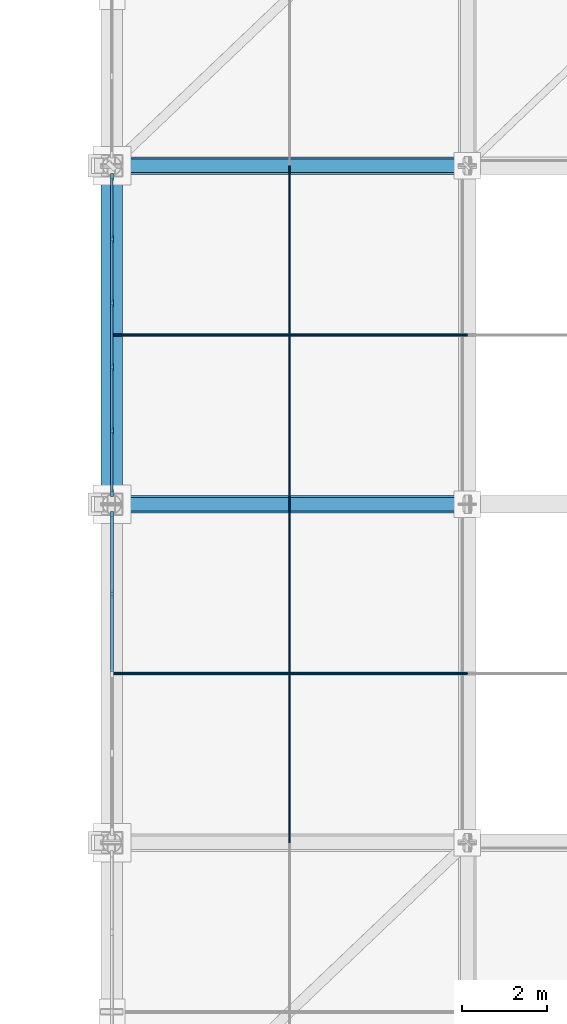
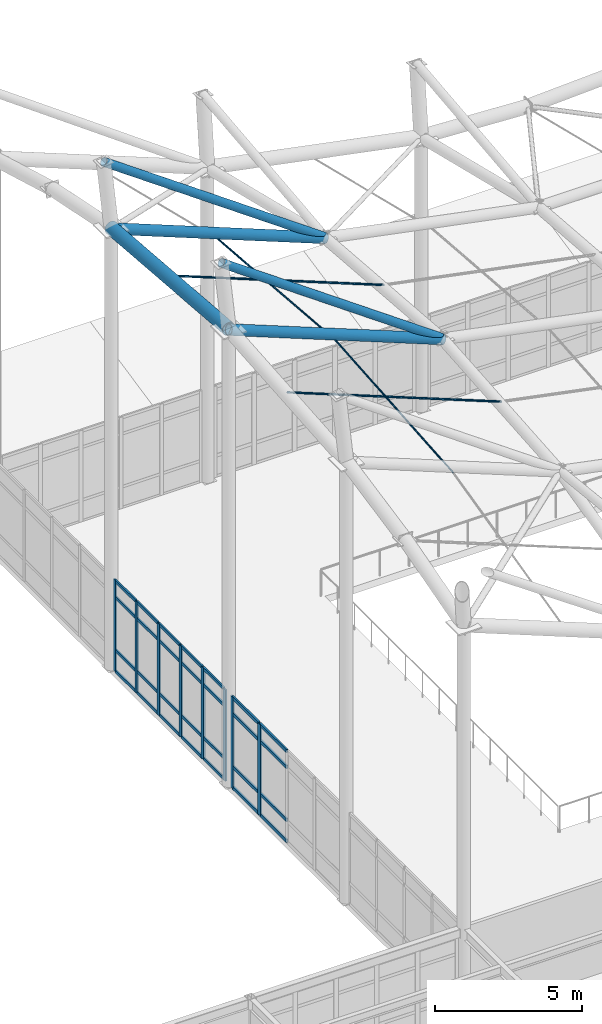
# One storey, part 39 of 138: 42 members, 3 beams, 2 elements without a shape of their own.
"""IFC4 building model written with IfcOpenShell, lengths in metres."""

from ifc_helpers import new_model, si_unit, direction, frame, origin, origin_2d, place, context, subcontext, project, spatial, rectangle, circle, hollow_circle, extrude, material, layer, layer_set, material_profile, profile_set, type_object, element, aggregate, save


model = new_model("IFC4")

# Units and contexts
model_context = context("Model", 3, precision=1e-05, world=origin(), true_north=direction((0.0, 1.0)))
body_context = subcontext(model_context, "Body", "Model", "MODEL_VIEW")
ifc_project = project(units=[si_unit("LENGTHUNIT", "METRE"), si_unit("AREAUNIT", "SQUARE_METRE"), si_unit("VOLUMEUNIT", "CUBIC_METRE"), si_unit("PLANEANGLEUNIT", "RADIAN"), si_unit("MASSUNIT", "GRAM", prefix="KILO")], contexts=[model_context])

# Site, building, storey
site_placement = place(None, origin())
site = spatial("IfcSite", under=ifc_project, at=site_placement, CompositionType="ELEMENT")
building_placement = place(site_placement, origin())
building = spatial("IfcBuilding", under=site, at=building_placement, Name="Kranzveld Transit Interchange", CompositionType="ELEMENT")
storey_placement = place(building_placement, frame((0.0, 0.0, 5.43994140625)))
storey = spatial("IfcBuildingStorey", under=building, at=storey_placement, Name="L01", CompositionType="ELEMENT", Elevation=5.43994140625)

# Curtain wall, members
ifc_material_1 = material(Name="Bronze-anodised thermally broken aluminium", Category="aluminium")
ifc_layer_1 = layer(ifc_material_1, 0.1650390625)
ifc_layer_set_1 = layer_set([ifc_layer_1], Name="Bronze-anodised thermally broken aluminium")
curtain_wall_type_1 = type_object("IfcCurtainWallType", Name="Sunny Court Arcade Curtain Wall CW-2", PredefinedType="USERDEFINED", material=ifc_layer_set_1)
curtain_wall_1_placement = place(storey_placement, origin())
curtain_wall_1 = element("IfcCurtainWall", 1, at=curtain_wall_1_placement, inside=storey, type_object=curtain_wall_type_1, Name="L01 Curtain Wall 08/K-08/L", ObjectType="CURTAIN WALL", PredefinedType="USERDEFINED")
ifc_material_2 = material(Name="Bronze-anodised thermally broken aluminium", Category="aluminium")
ifc_material_profile_1 = material_profile(ifc_material_2, rectangle(XDim=0.06494140625, YDim=0.1650390625, at=origin_2d()), Name="ALU MULLION 65x165")
ifc_profile_set_1 = profile_set([ifc_material_profile_1], Name="Bronze-anodised thermally broken aluminium")
member_type_1 = type_object("IfcMemberType", Name="Curtain Wall Mullion 65x165 Alu", PredefinedType="MULLION", material=ifc_profile_set_1)
member_1_placement = place(storey_placement, frame((58.800048828125, 72.260986328125, 0.0), z_axis=(0.0, 0.0, 1.0), x_axis=(-1.0, 0.0, 0.0)))
member_1 = element("IfcMember", 2, at=member_1_placement, type_object=member_type_1, Name="CW-2 mullion 1", PredefinedType="MULLION", context=body_context, shape_type="SweptSolid", body=[
    extrude(rectangle(XDim=0.06494140625, YDim=0.1650390625, at=origin_2d()), origin(), (0.0, 0.0, 1.0), 3.800048828125),
])
member_2_placement = place(storey_placement, frame((58.800048828125, 73.737060546875, 0.0), z_axis=(0.0, 0.0, 1.0), x_axis=(-1.0, 0.0, 0.0)))
member_2 = element("IfcMember", 3, at=member_2_placement, type_object=member_type_1, Name="CW-2 mullion 2", PredefinedType="MULLION", context=body_context, shape_type="SweptSolid", body=[
    extrude(rectangle(XDim=0.06494140625, YDim=0.1650390625, at=origin_2d()), origin(), (0.0, 0.0, 1.0), 3.800048828125),
])
member_3_placement = place(storey_placement, frame((58.800048828125, 75.24560546875, 0.0), z_axis=(0.0, 0.0, 1.0), x_axis=(-1.0, 0.0, 0.0)))
member_3 = element("IfcMember", 4, at=member_3_placement, type_object=member_type_1, Name="CW-2 mullion 3", PredefinedType="MULLION", context=body_context, shape_type="SweptSolid", body=[
    extrude(rectangle(XDim=0.06494140625, YDim=0.1650390625, at=origin_2d()), origin(), (0.0, 0.0, 1.0), 3.800048828125),
])
member_4_placement = place(storey_placement, frame((58.800048828125, 76.75439453125, 0.0), z_axis=(0.0, 0.0, 1.0), x_axis=(-1.0, 0.0, 0.0)))
member_4 = element("IfcMember", 5, at=member_4_placement, type_object=member_type_1, Name="CW-2 mullion 4", PredefinedType="MULLION", context=body_context, shape_type="SweptSolid", body=[
    extrude(rectangle(XDim=0.06494140625, YDim=0.1650390625, at=origin_2d()), origin(), (0.0, 0.0, 1.0), 3.800048828125),
])
member_5_placement = place(storey_placement, frame((58.800048828125, 78.262939453125, 0.0), z_axis=(0.0, 0.0, 1.0), x_axis=(-1.0, 0.0, 0.0)))
member_5 = element("IfcMember", 6, at=member_5_placement, type_object=member_type_1, Name="CW-2 mullion 5", PredefinedType="MULLION", context=body_context, shape_type="SweptSolid", body=[
    extrude(rectangle(XDim=0.06494140625, YDim=0.1650390625, at=origin_2d()), origin(), (0.0, 0.0, 1.0), 3.800048828125),
])
member_6_placement = place(storey_placement, frame((58.800048828125, 79.739013671875, 0.0), z_axis=(0.0, 0.0, 1.0), x_axis=(-1.0, 0.0, 0.0)))
member_6 = element("IfcMember", 7, at=member_6_placement, type_object=member_type_1, Name="CW-2 mullion 6", PredefinedType="MULLION", context=body_context, shape_type="SweptSolid", body=[
    extrude(rectangle(XDim=0.06494140625, YDim=0.1650390625, at=origin_2d()), origin(), (0.0, 0.0, 1.0), 3.800048828125),
])

ifc_material_3 = material(Name="Bronze-anodised thermally broken aluminium", Category="aluminium")
ifc_layer_2 = layer(ifc_material_3, 0.179931640625)
ifc_layer_set_2 = layer_set([ifc_layer_2], Name="Bronze-anodised thermally broken aluminium")
curtain_wall_type_2 = type_object("IfcCurtainWallType", Name="Concourse Unitised Curtain Wall CW-1", PredefinedType="USERDEFINED", material=ifc_layer_set_2)
curtain_wall_2_placement = place(storey_placement, origin())
curtain_wall_2 = element("IfcCurtainWall", 8, at=curtain_wall_2_placement, inside=storey, type_object=curtain_wall_type_2, Name="L01 Curtain Wall 08/J-08/K", ObjectType="CURTAIN WALL", PredefinedType="USERDEFINED")
ifc_material_4 = material(Name="Bronze-anodised thermally broken aluminium", Category="aluminium")
ifc_material_profile_2 = material_profile(ifc_material_4, rectangle(XDim=0.06494140625, YDim=0.179931640625, at=origin_2d()), Name="ALU MULLION 65x180")
ifc_profile_set_2 = profile_set([ifc_material_profile_2], Name="Bronze-anodised thermally broken aluminium")
member_type_2 = type_object("IfcMemberType", Name="Curtain Wall Mullion 65x180 Alu", PredefinedType="MULLION", material=ifc_profile_set_2)
member_7_placement = place(storey_placement, frame((58.800048828125, 69.8857421875, 0.0), z_axis=(0.0, 0.0, 1.0), x_axis=(-1.0, 0.0, 0.0)))
member_7 = element("IfcMember", 9, at=member_7_placement, type_object=member_type_2, Name="CW-1 mullion 4", PredefinedType="MULLION", context=body_context, shape_type="SweptSolid", body=[
    extrude(rectangle(XDim=0.06494140625, YDim=0.179931640625, at=origin_2d()), origin(), (0.0, 0.0, 1.0), 3.800048828125),
])
member_8_placement = place(storey_placement, frame((58.800048828125, 71.739013671875, 0.0), z_axis=(0.0, 0.0, 1.0), x_axis=(-1.0, 0.0, 0.0)))
member_8 = element("IfcMember", 10, at=member_8_placement, type_object=member_type_2, Name="CW-1 mullion 5", PredefinedType="MULLION", context=body_context, shape_type="SweptSolid", body=[
    extrude(rectangle(XDim=0.06494140625, YDim=0.179931640625, at=origin_2d()), origin(), (0.0, 0.0, 1.0), 3.800048828125),
])

# Member
ifc_material_5 = material(Name="Bronze-anodised thermally broken aluminium", Category="aluminium")
ifc_material_profile_3 = material_profile(ifc_material_5, rectangle(XDim=0.06005859375, YDim=0.125, at=origin_2d()), Name="ALU TRANSOM 60x125")
ifc_profile_set_3 = profile_set([ifc_material_profile_3], Name="Bronze-anodised thermally broken aluminium")
member_type_3 = type_object("IfcMemberType", Name="Curtain Wall Transom 60x125 Alu", PredefinedType="USERDEFINED", material=ifc_profile_set_3)
member_9_placement = place(storey_placement, frame((58.800048828125, 72.29345703125, 0.030029296875), z_axis=(0.0, 1.0, 0.0), x_axis=(-1.0, 0.0, 0.0)))
member_9 = element("IfcMember", 11, at=member_9_placement, type_object=member_type_3, Name="CW-2 transom 1.1", ObjectType="TRANSOM", PredefinedType="USERDEFINED", context=body_context, shape_type="SweptSolid", body=[
    extrude(rectangle(XDim=0.06005859375, YDim=0.125, at=origin_2d()), origin(), (0.0, 0.0, 1.0), 1.4111328125),
])

member_10_placement = place(storey_placement, frame((58.800048828125, 72.29345703125, 0.900146484375), z_axis=(0.0, 1.0, 0.0), x_axis=(-1.0, 0.0, 0.0)))
member_10 = element("IfcMember", 12, at=member_10_placement, type_object=member_type_3, Name="CW-2 transom 1.2", ObjectType="TRANSOM", PredefinedType="USERDEFINED", context=body_context, shape_type="SweptSolid", body=[
    extrude(rectangle(XDim=0.06005859375, YDim=0.125, at=origin_2d()), origin(), (0.0, 0.0, 1.0), 1.4111328125),
])

member_11_placement = place(storey_placement, frame((58.800048828125, 72.29345703125, 3.10009765625), z_axis=(0.0, 1.0, 0.0), x_axis=(-1.0, 0.0, 0.0)))
member_11 = element("IfcMember", 13, at=member_11_placement, type_object=member_type_3, Name="CW-2 transom 1.3", ObjectType="TRANSOM", PredefinedType="USERDEFINED", context=body_context, shape_type="SweptSolid", body=[
    extrude(rectangle(XDim=0.06005859375, YDim=0.125, at=origin_2d()), origin(), (0.0, 0.0, 1.0), 1.4111328125),
])

member_12_placement = place(storey_placement, frame((58.800048828125, 72.29345703125, 3.77001953125), z_axis=(0.0, 1.0, 0.0), x_axis=(-1.0, 0.0, 0.0)))
member_12 = element("IfcMember", 14, at=member_12_placement, type_object=member_type_3, Name="CW-2 transom 1.4", ObjectType="TRANSOM", PredefinedType="USERDEFINED", context=body_context, shape_type="SweptSolid", body=[
    extrude(rectangle(XDim=0.06005859375, YDim=0.125, at=origin_2d()), origin(), (0.0, 0.0, 1.0), 1.4111328125),
])

member_13_placement = place(storey_placement, frame((58.800048828125, 73.76953125, 0.030029296875), z_axis=(0.0, 1.0, 0.0), x_axis=(-1.0, 0.0, 0.0)))
member_13 = element("IfcMember", 15, at=member_13_placement, type_object=member_type_3, Name="CW-2 transom 2.1", ObjectType="TRANSOM", PredefinedType="USERDEFINED", context=body_context, shape_type="SweptSolid", body=[
    extrude(rectangle(XDim=0.06005859375, YDim=0.125, at=origin_2d()), origin(), (0.0, 0.0, 1.0), 1.443603515625),
])

member_14_placement = place(storey_placement, frame((58.800048828125, 73.76953125, 0.900146484375), z_axis=(0.0, 1.0, 0.0), x_axis=(-1.0, 0.0, 0.0)))
member_14 = element("IfcMember", 16, at=member_14_placement, type_object=member_type_3, Name="CW-2 transom 2.2", ObjectType="TRANSOM", PredefinedType="USERDEFINED", context=body_context, shape_type="SweptSolid", body=[
    extrude(rectangle(XDim=0.06005859375, YDim=0.125, at=origin_2d()), origin(), (0.0, 0.0, 1.0), 1.443603515625),
])

member_15_placement = place(storey_placement, frame((58.800048828125, 73.76953125, 3.10009765625), z_axis=(0.0, 1.0, 0.0), x_axis=(-1.0, 0.0, 0.0)))
member_15 = element("IfcMember", 17, at=member_15_placement, type_object=member_type_3, Name="CW-2 transom 2.3", ObjectType="TRANSOM", PredefinedType="USERDEFINED", context=body_context, shape_type="SweptSolid", body=[
    extrude(rectangle(XDim=0.06005859375, YDim=0.125, at=origin_2d()), origin(), (0.0, 0.0, 1.0), 1.443603515625),
])

member_16_placement = place(storey_placement, frame((58.800048828125, 73.76953125, 3.77001953125), z_axis=(0.0, 1.0, 0.0), x_axis=(-1.0, 0.0, 0.0)))
member_16 = element("IfcMember", 18, at=member_16_placement, type_object=member_type_3, Name="CW-2 transom 2.4", ObjectType="TRANSOM", PredefinedType="USERDEFINED", context=body_context, shape_type="SweptSolid", body=[
    extrude(rectangle(XDim=0.06005859375, YDim=0.125, at=origin_2d()), origin(), (0.0, 0.0, 1.0), 1.443603515625),
])

member_17_placement = place(storey_placement, frame((58.800048828125, 75.2783203125, 0.030029296875), z_axis=(0.0, 1.0, 0.0), x_axis=(-1.0, 0.0, 0.0)))
member_17 = element("IfcMember", 19, at=member_17_placement, type_object=member_type_3, Name="CW-2 transom 3.1", ObjectType="TRANSOM", PredefinedType="USERDEFINED", context=body_context, shape_type="SweptSolid", body=[
    extrude(rectangle(XDim=0.06005859375, YDim=0.125, at=origin_2d()), origin(), (0.0, 0.0, 1.0), 1.443359375),
])

member_18_placement = place(storey_placement, frame((58.800048828125, 75.2783203125, 0.900146484375), z_axis=(0.0, 1.0, 0.0), x_axis=(-1.0, 0.0, 0.0)))
member_18 = element("IfcMember", 20, at=member_18_placement, type_object=member_type_3, Name="CW-2 transom 3.2", ObjectType="TRANSOM", PredefinedType="USERDEFINED", context=body_context, shape_type="SweptSolid", body=[
    extrude(rectangle(XDim=0.06005859375, YDim=0.125, at=origin_2d()), origin(), (0.0, 0.0, 1.0), 1.443359375),
])

member_19_placement = place(storey_placement, frame((58.800048828125, 75.2783203125, 3.10009765625), z_axis=(0.0, 1.0, 0.0), x_axis=(-1.0, 0.0, 0.0)))
member_19 = element("IfcMember", 21, at=member_19_placement, type_object=member_type_3, Name="CW-2 transom 3.3", ObjectType="TRANSOM", PredefinedType="USERDEFINED", context=body_context, shape_type="SweptSolid", body=[
    extrude(rectangle(XDim=0.06005859375, YDim=0.125, at=origin_2d()), origin(), (0.0, 0.0, 1.0), 1.443359375),
])

member_20_placement = place(storey_placement, frame((58.800048828125, 75.2783203125, 3.77001953125), z_axis=(0.0, 1.0, 0.0), x_axis=(-1.0, 0.0, 0.0)))
member_20 = element("IfcMember", 22, at=member_20_placement, type_object=member_type_3, Name="CW-2 transom 3.4", ObjectType="TRANSOM", PredefinedType="USERDEFINED", context=body_context, shape_type="SweptSolid", body=[
    extrude(rectangle(XDim=0.06005859375, YDim=0.125, at=origin_2d()), origin(), (0.0, 0.0, 1.0), 1.443359375),
])

member_21_placement = place(storey_placement, frame((58.800048828125, 76.786865234375, 0.030029296875), z_axis=(0.0, 1.0, 0.0), x_axis=(-1.0, 0.0, 0.0)))
member_21 = element("IfcMember", 23, at=member_21_placement, type_object=member_type_3, Name="CW-2 transom 4.1", ObjectType="TRANSOM", PredefinedType="USERDEFINED", context=body_context, shape_type="SweptSolid", body=[
    extrude(rectangle(XDim=0.06005859375, YDim=0.125, at=origin_2d()), origin(), (0.0, 0.0, 1.0), 1.443603515625),
])

member_22_placement = place(storey_placement, frame((58.800048828125, 76.786865234375, 0.900146484375), z_axis=(0.0, 1.0, 0.0), x_axis=(-1.0, 0.0, 0.0)))
member_22 = element("IfcMember", 24, at=member_22_placement, type_object=member_type_3, Name="CW-2 transom 4.2", ObjectType="TRANSOM", PredefinedType="USERDEFINED", context=body_context, shape_type="SweptSolid", body=[
    extrude(rectangle(XDim=0.06005859375, YDim=0.125, at=origin_2d()), origin(), (0.0, 0.0, 1.0), 1.443603515625),
])

member_23_placement = place(storey_placement, frame((58.800048828125, 76.786865234375, 3.10009765625), z_axis=(0.0, 1.0, 0.0), x_axis=(-1.0, 0.0, 0.0)))
member_23 = element("IfcMember", 25, at=member_23_placement, type_object=member_type_3, Name="CW-2 transom 4.3", ObjectType="TRANSOM", PredefinedType="USERDEFINED", context=body_context, shape_type="SweptSolid", body=[
    extrude(rectangle(XDim=0.06005859375, YDim=0.125, at=origin_2d()), origin(), (0.0, 0.0, 1.0), 1.443603515625),
])

member_24_placement = place(storey_placement, frame((58.800048828125, 76.786865234375, 3.77001953125), z_axis=(0.0, 1.0, 0.0), x_axis=(-1.0, 0.0, 0.0)))
member_24 = element("IfcMember", 26, at=member_24_placement, type_object=member_type_3, Name="CW-2 transom 4.4", ObjectType="TRANSOM", PredefinedType="USERDEFINED", context=body_context, shape_type="SweptSolid", body=[
    extrude(rectangle(XDim=0.06005859375, YDim=0.125, at=origin_2d()), origin(), (0.0, 0.0, 1.0), 1.443603515625),
])

member_25_placement = place(storey_placement, frame((58.800048828125, 78.29541015625, 0.030029296875), z_axis=(0.0, 1.0, 0.0), x_axis=(-1.0, 0.0, 0.0)))
member_25 = element("IfcMember", 27, at=member_25_placement, type_object=member_type_3, Name="CW-2 transom 5.1", ObjectType="TRANSOM", PredefinedType="USERDEFINED", context=body_context, shape_type="SweptSolid", body=[
    extrude(rectangle(XDim=0.06005859375, YDim=0.125, at=origin_2d()), origin(), (0.0, 0.0, 1.0), 1.4111328125),
])

member_26_placement = place(storey_placement, frame((58.800048828125, 78.29541015625, 0.900146484375), z_axis=(0.0, 1.0, 0.0), x_axis=(-1.0, 0.0, 0.0)))
member_26 = element("IfcMember", 28, at=member_26_placement, type_object=member_type_3, Name="CW-2 transom 5.2", ObjectType="TRANSOM", PredefinedType="USERDEFINED", context=body_context, shape_type="SweptSolid", body=[
    extrude(rectangle(XDim=0.06005859375, YDim=0.125, at=origin_2d()), origin(), (0.0, 0.0, 1.0), 1.4111328125),
])

member_27_placement = place(storey_placement, frame((58.800048828125, 78.29541015625, 3.10009765625), z_axis=(0.0, 1.0, 0.0), x_axis=(-1.0, 0.0, 0.0)))
member_27 = element("IfcMember", 29, at=member_27_placement, type_object=member_type_3, Name="CW-2 transom 5.3", ObjectType="TRANSOM", PredefinedType="USERDEFINED", context=body_context, shape_type="SweptSolid", body=[
    extrude(rectangle(XDim=0.06005859375, YDim=0.125, at=origin_2d()), origin(), (0.0, 0.0, 1.0), 1.4111328125),
])

member_28_placement = place(storey_placement, frame((58.800048828125, 78.29541015625, 3.77001953125), z_axis=(0.0, 1.0, 0.0), x_axis=(-1.0, 0.0, 0.0)))
member_28 = element("IfcMember", 30, at=member_28_placement, type_object=member_type_3, Name="CW-2 transom 5.4", ObjectType="TRANSOM", PredefinedType="USERDEFINED", context=body_context, shape_type="SweptSolid", body=[
    extrude(rectangle(XDim=0.06005859375, YDim=0.125, at=origin_2d()), origin(), (0.0, 0.0, 1.0), 1.4111328125),
])

aggregate(curtain_wall_1, [member_1, member_2, member_3, member_4, member_5, member_6, member_9, member_10, member_11, member_12, member_13, member_14, member_15, member_16, member_17, member_18, member_19, member_20, member_21, member_22, member_23, member_24, member_25, member_26, member_27, member_28])

ifc_material_6 = material(Name="Bronze-anodised thermally broken aluminium", Category="aluminium")
ifc_material_profile_4 = material_profile(ifc_material_6, rectangle(XDim=0.06494140625, YDim=0.139892578125, at=origin_2d()), Name="ALU TRANSOM 65x140")
ifc_profile_set_4 = profile_set([ifc_material_profile_4], Name="Bronze-anodised thermally broken aluminium")
member_type_4 = type_object("IfcMemberType", Name="Curtain Wall Transom 65x140 Alu", PredefinedType="USERDEFINED", material=ifc_profile_set_4)
member_29_placement = place(storey_placement, frame((58.800048828125, 68.032470703125, 0.032470703125), z_axis=(0.0, 1.0, 0.0), x_axis=(-1.0, 0.0, 0.0)))
member_29 = element("IfcMember", 31, at=member_29_placement, type_object=member_type_4, Name="CW-1 transom 3.1", ObjectType="TRANSOM", PredefinedType="USERDEFINED", context=body_context, shape_type="SweptSolid", body=[
    extrude(rectangle(XDim=0.06494140625, YDim=0.139892578125, at=origin_2d()), origin(), (0.0, 0.0, 1.0), 1.82080078125),
])

member_30_placement = place(storey_placement, frame((58.800048828125, 68.032470703125, 0.900146484375), z_axis=(0.0, 1.0, 0.0), x_axis=(-1.0, 0.0, 0.0)))
member_30 = element("IfcMember", 32, at=member_30_placement, type_object=member_type_4, Name="CW-1 transom 3.2", ObjectType="TRANSOM", PredefinedType="USERDEFINED", context=body_context, shape_type="SweptSolid", body=[
    extrude(rectangle(XDim=0.06494140625, YDim=0.139892578125, at=origin_2d()), origin(), (0.0, 0.0, 1.0), 1.82080078125),
])

member_31_placement = place(storey_placement, frame((58.800048828125, 68.032470703125, 3.10009765625), z_axis=(0.0, 1.0, 0.0), x_axis=(-1.0, 0.0, 0.0)))
member_31 = element("IfcMember", 33, at=member_31_placement, type_object=member_type_4, Name="CW-1 transom 3.3", ObjectType="TRANSOM", PredefinedType="USERDEFINED", context=body_context, shape_type="SweptSolid", body=[
    extrude(rectangle(XDim=0.06494140625, YDim=0.139892578125, at=origin_2d()), origin(), (0.0, 0.0, 1.0), 1.82080078125),
])

member_32_placement = place(storey_placement, frame((58.800048828125, 68.032470703125, 3.767578125), z_axis=(0.0, 1.0, 0.0), x_axis=(-1.0, 0.0, 0.0)))
member_32 = element("IfcMember", 34, at=member_32_placement, type_object=member_type_4, Name="CW-1 transom 3.4", ObjectType="TRANSOM", PredefinedType="USERDEFINED", context=body_context, shape_type="SweptSolid", body=[
    extrude(rectangle(XDim=0.06494140625, YDim=0.139892578125, at=origin_2d()), origin(), (0.0, 0.0, 1.0), 1.82080078125),
])

member_33_placement = place(storey_placement, frame((58.800048828125, 69.918212890625, 0.032470703125), z_axis=(0.0, 1.0, 0.0), x_axis=(-1.0, 0.0, 0.0)))
member_33 = element("IfcMember", 35, at=member_33_placement, type_object=member_type_4, Name="CW-1 transom 4.1", ObjectType="TRANSOM", PredefinedType="USERDEFINED", context=body_context, shape_type="SweptSolid", body=[
    extrude(rectangle(XDim=0.06494140625, YDim=0.139892578125, at=origin_2d()), origin(), (0.0, 0.0, 1.0), 1.788330078125),
])

member_34_placement = place(storey_placement, frame((58.800048828125, 69.918212890625, 0.900146484375), z_axis=(0.0, 1.0, 0.0), x_axis=(-1.0, 0.0, 0.0)))
member_34 = element("IfcMember", 36, at=member_34_placement, type_object=member_type_4, Name="CW-1 transom 4.2", ObjectType="TRANSOM", PredefinedType="USERDEFINED", context=body_context, shape_type="SweptSolid", body=[
    extrude(rectangle(XDim=0.06494140625, YDim=0.139892578125, at=origin_2d()), origin(), (0.0, 0.0, 1.0), 1.788330078125),
])

member_35_placement = place(storey_placement, frame((58.800048828125, 69.918212890625, 3.10009765625), z_axis=(0.0, 1.0, 0.0), x_axis=(-1.0, 0.0, 0.0)))
member_35 = element("IfcMember", 37, at=member_35_placement, type_object=member_type_4, Name="CW-1 transom 4.3", ObjectType="TRANSOM", PredefinedType="USERDEFINED", context=body_context, shape_type="SweptSolid", body=[
    extrude(rectangle(XDim=0.06494140625, YDim=0.139892578125, at=origin_2d()), origin(), (0.0, 0.0, 1.0), 1.788330078125),
])

member_36_placement = place(storey_placement, frame((58.800048828125, 69.918212890625, 3.767578125), z_axis=(0.0, 1.0, 0.0), x_axis=(-1.0, 0.0, 0.0)))
member_36 = element("IfcMember", 38, at=member_36_placement, type_object=member_type_4, Name="CW-1 transom 4.4", ObjectType="TRANSOM", PredefinedType="USERDEFINED", context=body_context, shape_type="SweptSolid", body=[
    extrude(rectangle(XDim=0.06494140625, YDim=0.139892578125, at=origin_2d()), origin(), (0.0, 0.0, 1.0), 1.788330078125),
])

aggregate(curtain_wall_2, [member_7, member_8, member_29, member_30, member_31, member_32, member_33, member_34, member_35, member_36])

# Members
ifc_material_7 = material(Name="Steel S355JR", Category="steel")
ifc_material_profile_5 = material_profile(ifc_material_7, hollow_circle(Radius=0.161865234375, WallThickness=0.012451171875, at=origin_2d()), Name="CHS 323.9x12.5")
ifc_profile_set_5 = profile_set([ifc_material_profile_5], Name="Steel S355JR")
member_type_5 = type_object("IfcMemberType", Name="Mast Tripod Strut CHS 323.9x12.5 S355JR", PredefinedType="STRUT", material=ifc_profile_set_5)
for number, where, z_axis, x_axis, name in (
    (39, (67.199951171875, 72.0, 15.58203125), (-0.815338160227, 0.0, 0.578985046851), (0.0, -1.0, 0.0), "Mast Tripod Strut MS-03"),
    (40, (67.199951171875, 80.0, 14.93212890625), (-0.815338160227, 0.0, 0.578985046851), (0.0, -1.0, 0.0), "Mast Tripod Strut MS-04"),
):
    element("IfcMember", number, at=place(storey_placement, frame(where, z_axis=z_axis, x_axis=x_axis)), inside=storey, type_object=member_type_5, Name=name, PredefinedType="STRUT", context=body_context, shape_type="SweptSolid", body=[
        extrude(hollow_circle(Radius=0.161865234375, WallThickness=0.012451171875, at=origin_2d()), origin(), (0.0, 0.0, 1.0), 10.67041015625),
    ])

# Beams
ifc_material_8 = material(Name="Steel S355JR", Category="steel")
ifc_material_profile_6 = material_profile(ifc_material_8, hollow_circle(Radius=0.25390625, WallThickness=0.02001953125, at=origin_2d()), Name="CHS 508x20")
ifc_profile_set_6 = profile_set([ifc_material_profile_6], Name="Steel S355JR")
beam_type_1 = type_object("IfcBeamType", Name="Ring Beam Steel CHS 508x20 S355JR", PredefinedType="BEAM", material=ifc_profile_set_6)
beam_placement = place(storey_placement, frame((58.800048828125, 80.0, 18.260009765625), z_axis=(0.0, -0.996713998812, 0.081001262782), x_axis=(1.0, 0.0, 0.0)))
element("IfcBeam", 41, at=beam_placement, inside=storey, type_object=beam_type_1, Name="Saddle Compression Ring Chord 08L-08K", PredefinedType="BEAM", context=body_context, shape_type="SweptSolid", body=[
    extrude(hollow_circle(Radius=0.25390625, WallThickness=0.02001953125, at=origin_2d()), origin(), (0.0, 0.0, 1.0), 8.0263671875),
])
ifc_material_9 = material(Name="Steel S355JR", Category="steel")
ifc_material_profile_7 = material_profile(ifc_material_9, hollow_circle(Radius=0.203125, WallThickness=0.01611328125, at=origin_2d()), Name="CHS 406.4x16")
ifc_profile_set_7 = profile_set([ifc_material_profile_7], Name="Steel S355JR")
beam_type_2 = type_object("IfcBeamType", Name="Saddle Arch Rib CHS 406.4x16 S355JR", PredefinedType="BEAM", material=ifc_profile_set_7)
for number, where, z_axis, x_axis, name in (
    (42, (58.800048828125, 72.0, 18.880126953125), (0.929686738301, 0.0, -0.368351148536), (0.0, 1.0, 0.0), "Saddle Arch Rib 08-09/K"),
    (43, (58.800048828125, 80.0, 18.22998046875), (0.929695991495, 0.0, -0.36832779341), (0.0, 1.0, 0.0), "Saddle Arch Rib 08-09/L"),
):
    element("IfcBeam", number, at=place(storey_placement, frame(where, z_axis=z_axis, x_axis=x_axis)), inside=storey, type_object=beam_type_2, Name=name, PredefinedType="BEAM", context=body_context, shape_type="SweptSolid", body=[
        extrude(hollow_circle(Radius=0.203125, WallThickness=0.01611328125, at=origin_2d()), origin(), (0.0, 0.0, 1.0), 9.03515625),
    ])

# Members
ifc_material_10 = material(Name="Steel S355JR", Category="steel")
ifc_material_profile_8 = material_profile(ifc_material_10, circle(Radius=0.031982421875, at=origin_2d()), Name="CABLE D64")
ifc_profile_set_8 = profile_set([ifc_material_profile_8], Name="Steel S355JR")
member_type_6 = type_object("IfcMemberType", Name="Saddle Carrying Cable D64 S355JR", PredefinedType="USERDEFINED", material=ifc_profile_set_8)
for number, where, z_axis, x_axis, name in (
    (44, (58.800048828125, 68.0, 18.697509765625), (0.929695991495, 0.0, -0.36832779341), (0.0, 1.0, 0.0), "Saddle Carrying Cable 08/K"),
    (45, (58.800048828125, 76.0, 18.697509765625), (0.929695991495, 0.0, -0.36832779341), (0.0, 1.0, 0.0), "Saddle Carrying Cable 08/L"),
):
    element("IfcMember", number, at=place(storey_placement, frame(where, z_axis=z_axis, x_axis=x_axis)), inside=storey, type_object=member_type_6, Name=name, ObjectType="CABLE", PredefinedType="USERDEFINED", context=body_context, shape_type="SweptSolid", body=[
        extrude(circle(Radius=0.031982421875, at=origin_2d()), origin(), (0.0, 0.0, 1.0), 9.03515625),
    ])
ifc_material_11 = material(Name="Steel S355JR", Category="steel")
ifc_material_profile_9 = material_profile(ifc_material_11, circle(Radius=0.02392578125, at=origin_2d()), Name="CABLE D48")
ifc_profile_set_9 = profile_set([ifc_material_profile_9], Name="Steel S355JR")
member_type_7 = type_object("IfcMemberType", Name="Saddle Stabilising Cable D48 S355JR", PredefinedType="USERDEFINED", material=ifc_profile_set_9)
for number, where, z_axis, x_axis, name in (
    (46, (63.0, 64.0, 16.318115234375), (0.0, 0.996716454103, 0.080971044947), (-1.0, 0.0, 0.0), "Saddle Stabilising Cable 09/J"),
    (47, (63.0, 72.0, 16.968017578125), (0.0, 0.996716454103, -0.080971044947), (-1.0, 0.0, 0.0), "Saddle Stabilising Cable 09/K"),
):
    element("IfcMember", number, at=place(storey_placement, frame(where, z_axis=z_axis, x_axis=x_axis)), inside=storey, type_object=member_type_7, Name=name, ObjectType="CABLE", PredefinedType="USERDEFINED", context=body_context, shape_type="SweptSolid", body=[
        extrude(circle(Radius=0.02392578125, at=origin_2d()), origin(), (0.0, 0.0, 1.0), 8.0263671875),
    ])

save(model, "model.ifc")
